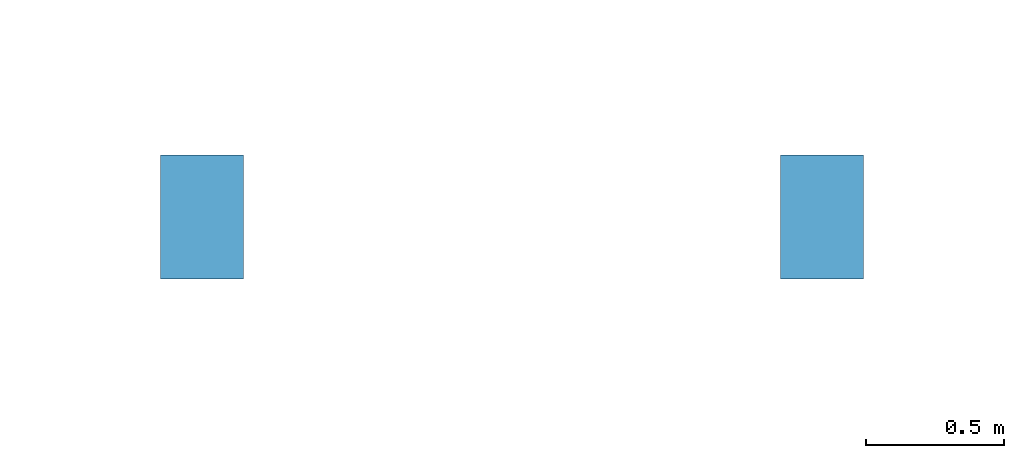
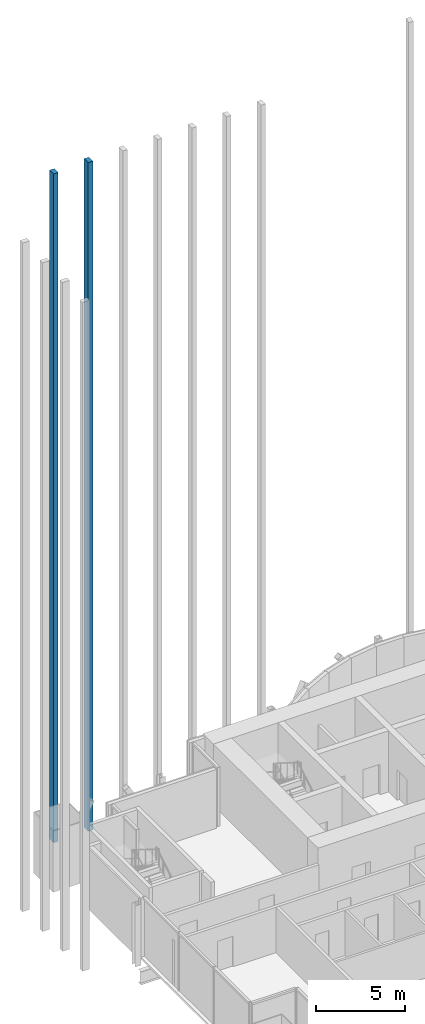
# One storey, part 10 of 28: 2 members, 1 element without a shape of its own.
"""IFC4 building model written with IfcOpenShell, lengths in metres."""

from ifc_helpers import new_model, si_unit, direction, frame, origin, origin_2d, place, context, subcontext, project, spatial, rectangle, extrude, material, material_profile, profile_set, type_object, element, aggregate, save


model = new_model("IFC4")

# Units and contexts
model_context = context("Model", 3, precision=1e-05, world=origin(), true_north=direction((0.0, 1.0)))
body_context = subcontext(model_context, "Body", "Model", "MODEL_VIEW")
ifc_project = project(units=[si_unit("LENGTHUNIT", "METRE"), si_unit("AREAUNIT", "SQUARE_METRE"), si_unit("VOLUMEUNIT", "CUBIC_METRE"), si_unit("PLANEANGLEUNIT", "RADIAN"), si_unit("MASSUNIT", "GRAM", prefix="KILO")], contexts=[model_context])

# Site, building, storey
site_placement = place(None, origin())
site = spatial("IfcSite", under=ifc_project, at=site_placement, CompositionType="ELEMENT")
building_placement = place(site_placement, origin())
building = spatial("IfcBuilding", under=site, at=building_placement, Name="Bicima Exchange Tower", CompositionType="ELEMENT")
storey_placement = place(building_placement, frame((0.0, 0.0, 241.39990234375)))
storey = spatial("IfcBuildingStorey", under=building, at=storey_placement, Name="L54", CompositionType="ELEMENT", Elevation=241.39990234375)

# Curtain wall, members
ifc_material = material(Name="Anodised bronze aluminium", Category="aluminium")
curtain_wall_type = type_object("IfcCurtainWallType", Name="Rear blade screen", PredefinedType="NOTDEFINED", material=ifc_material)
curtain_wall_placement = place(storey_placement, origin())
curtain_wall = element("IfcCurtainWall", 1, at=curtain_wall_placement, inside=storey, type_object=curtain_wall_type, Name="Rear blade screen L54-L64 W", PredefinedType="NOTDEFINED")
ifc_material_profile = material_profile(ifc_material, rectangle(XDim=0.449951171875, YDim=0.300048828125, at=origin_2d()))
ifc_profile_set = profile_set([ifc_material_profile], Name="Anodised bronze aluminium")
member_type = type_object("IfcMemberType", Name="Rear blade fin 450 x 300", PredefinedType="USERDEFINED", material=ifc_profile_set)
member_1_placement = place(storey_placement, frame((-31.5, 0.324951171875, 0.0), z_axis=(0.0, 0.0, 1.0), x_axis=(0.0, 1.0, 0.0)))
member_1 = element("IfcMember", 2, at=member_1_placement, type_object=member_type, Name="Rear blade fin L54-L64 2", ObjectType="FIN", PredefinedType="USERDEFINED", context=body_context, shape_type="SweptSolid", body=[
    extrude(rectangle(XDim=0.449951171875, YDim=0.300048828125, at=origin_2d()), origin(), (0.0, 0.0, 1.0), 46.0),
])
member_2_placement = place(storey_placement, frame((-29.25, 0.324951171875, 0.0), z_axis=(0.0, 0.0, 1.0), x_axis=(0.0, 1.0, 0.0)))
member_2 = element("IfcMember", 3, at=member_2_placement, type_object=member_type, Name="Rear blade fin L54-L64 3", ObjectType="FIN", PredefinedType="USERDEFINED", context=body_context, shape_type="SweptSolid", body=[
    extrude(rectangle(XDim=0.449951171875, YDim=0.300048828125, at=origin_2d()), origin(), (0.0, 0.0, 1.0), 46.0),
])
aggregate(curtain_wall, [member_1, member_2])

save(model, "model.ifc")
